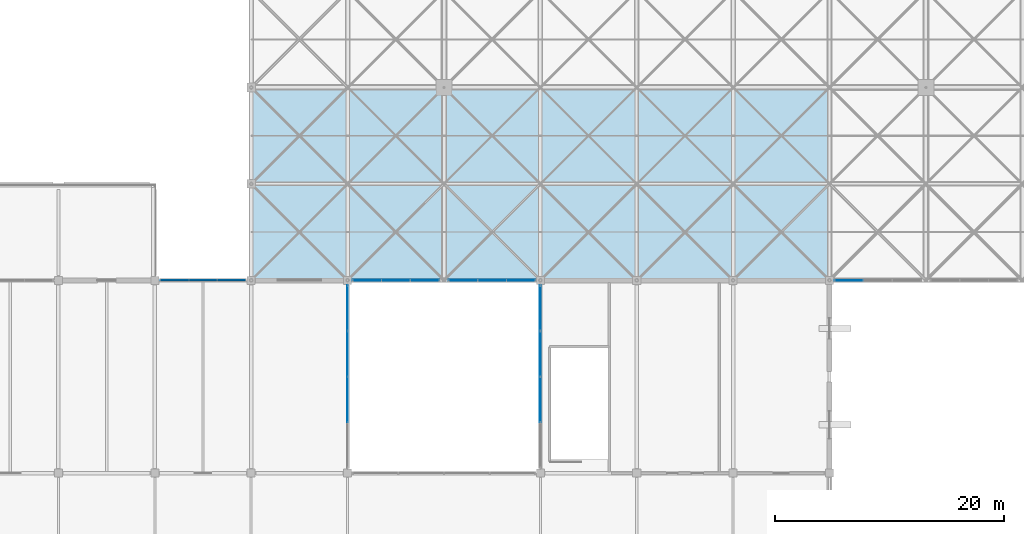
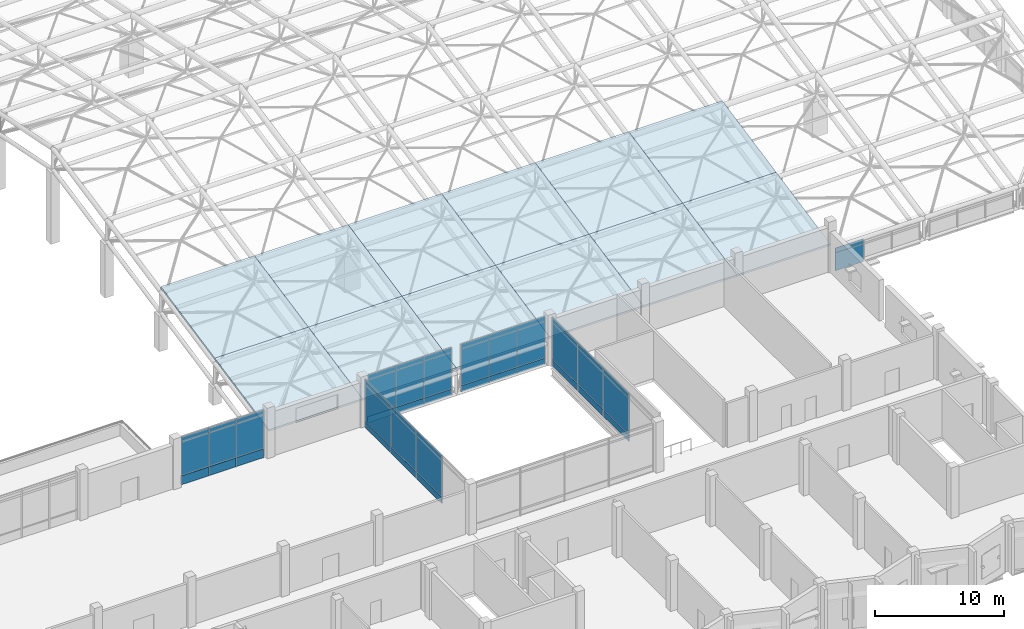
# One storey, part 78 of 110: 47 plates, 12 slabs, 6 elements without a shape of their own.
"""IFC4 building model written with IfcOpenShell, lengths in metres."""

from ifc_helpers import new_model, si_unit, direction, frame, frame_2d, origin, place, context, subcontext, project, spatial, polyline, rectangle, outline, extrude, material, layer, layer_set, type_object, element, aggregate, save


model = new_model("IFC4")

# Units and contexts
model_context = context("Model", 3, precision=1e-05, world=origin(), true_north=direction((0.0, 1.0)))
body_context = subcontext(model_context, "Body", "Model", "MODEL_VIEW")
ifc_project = project(units=[si_unit("LENGTHUNIT", "METRE"), si_unit("AREAUNIT", "SQUARE_METRE"), si_unit("VOLUMEUNIT", "CUBIC_METRE"), si_unit("PLANEANGLEUNIT", "RADIAN"), si_unit("MASSUNIT", "GRAM", prefix="KILO")], contexts=[model_context])

# Site, building, storey
site_placement = place(None, origin())
site = spatial("IfcSite", under=ifc_project, at=site_placement, CompositionType="ELEMENT")
building_placement = place(site_placement, origin())
building = spatial("IfcBuilding", under=site, at=building_placement, Name="Qawsi Khor Wholesale Market", CompositionType="ELEMENT")
storey_placement = place(building_placement, frame((0.0, 0.0, 11.39990234375)))
storey = spatial("IfcBuildingStorey", under=building, at=storey_placement, Name="L02", CompositionType="ELEMENT", Elevation=11.39990234375)

# Curtain wall, plates
ifc_material_1 = material(Name="Aluminium Anodised Bronze", Category="aluminium")
ifc_layer_1 = layer(ifc_material_1, 0.179931640625, Name="Aluminium Anodised Bronze")
ifc_layer_set_1 = layer_set([ifc_layer_1], Name="Aluminium Anodised Bronze")
curtain_wall_type_1 = type_object("IfcCurtainWallType", Name="Atrium Full-Height Curtain Wall CW-02", PredefinedType="NOTDEFINED", material=ifc_layer_set_1)
curtain_wall_1_placement = place(storey_placement, origin())
curtain_wall_1 = element("IfcCurtainWall", 1, at=curtain_wall_1_placement, inside=storey, type_object=curtain_wall_type_1, Name="Curtain wall CW-CW-02-L02-042", PredefinedType="NOTDEFINED")
ifc_material_2 = material(Name="Anodised Aluminium Spandrel", Category="aluminium")
ifc_layer_2 = layer(ifc_material_2, 0.06494140625, Name="Anodised Aluminium Spandrel")
ifc_layer_set_2 = layer_set([ifc_layer_2], Name="Anodised Aluminium Spandrel")
plate_type_1 = type_object("IfcPlateType", Name="Insulated Spandrel Panel CW-02 65mm", PredefinedType="CURTAIN_PANEL", material=ifc_layer_set_2)
plate_1_placement = place(storey_placement, frame((151.64501953125, 42.0, 0.005126953125), z_axis=(0.0, 0.0, 1.0), x_axis=(1.0, 0.0, 0.0)))
plate_1 = element("IfcPlate", 2, at=plate_1_placement, type_object=plate_type_1, Name="Curtain panel CW-CW-02-L02-042-P0_00", PredefinedType="CURTAIN_PANEL", context=body_context, shape_type="SweptSolid", body=[
    extrude(rectangle(XDim=2.51171875, YDim=0.06494140625, at=frame_2d((1.255859375, 0.0))), origin(), (0.0, 0.0, 1.0), 0.590087890625),
])
plate_2_placement = place(storey_placement, frame((154.15673828125, 42.0, 0.005126953125), z_axis=(0.0, 0.0, 1.0), x_axis=(1.0, 0.0, 0.0)))
plate_2 = element("IfcPlate", 3, at=plate_2_placement, type_object=plate_type_1, Name="Curtain panel CW-CW-02-L02-042-P0_01", PredefinedType="CURTAIN_PANEL", context=body_context, shape_type="SweptSolid", body=[
    extrude(rectangle(XDim=2.511474609375, YDim=0.06494140625, at=frame_2d((1.255859375, 0.0))), origin(), (0.0, 0.0, 1.0), 0.590087890625),
])
plate_3_placement = place(storey_placement, frame((156.668212890625, 42.0, 0.005126953125), z_axis=(0.0, 0.0, 1.0), x_axis=(1.0, 0.0, 0.0)))
plate_3 = element("IfcPlate", 4, at=plate_3_placement, type_object=plate_type_1, Name="Curtain panel CW-CW-02-L02-042-P0_02", PredefinedType="CURTAIN_PANEL", context=body_context, shape_type="SweptSolid", body=[
    extrude(rectangle(XDim=2.51171875, YDim=0.06494140625, at=frame_2d((1.255859375, 0.0))), origin(), (0.0, 0.0, 1.0), 0.590087890625),
])

curtain_wall_2_placement = place(storey_placement, origin())
curtain_wall_2 = element("IfcCurtainWall", 5, at=curtain_wall_2_placement, inside=storey, type_object=curtain_wall_type_1, Name="Curtain wall CW-CW-02-L02-043", PredefinedType="NOTDEFINED")
plate_4_placement = place(storey_placement, frame((160.02001953125, 42.0, 0.005126953125), z_axis=(0.0, 0.0, 1.0), x_axis=(1.0, 0.0, 0.0)))
plate_4 = element("IfcPlate", 6, at=plate_4_placement, type_object=plate_type_1, Name="Curtain panel CW-CW-02-L02-043-P0_00", PredefinedType="CURTAIN_PANEL", context=body_context, shape_type="SweptSolid", body=[
    extrude(rectangle(XDim=2.51171875, YDim=0.06494140625, at=frame_2d((1.255859375, 0.0))), origin(), (0.0, 0.0, 1.0), 0.590087890625),
])
plate_5_placement = place(storey_placement, frame((162.53173828125, 42.0, 0.005126953125), z_axis=(0.0, 0.0, 1.0), x_axis=(1.0, 0.0, 0.0)))
plate_5 = element("IfcPlate", 7, at=plate_5_placement, type_object=plate_type_1, Name="Curtain panel CW-CW-02-L02-043-P0_01", PredefinedType="CURTAIN_PANEL", context=body_context, shape_type="SweptSolid", body=[
    extrude(rectangle(XDim=2.511474609375, YDim=0.06494140625, at=frame_2d((1.255859375, 0.0))), origin(), (0.0, 0.0, 1.0), 0.590087890625),
])
plate_6_placement = place(storey_placement, frame((165.043212890625, 42.0, 0.005126953125), z_axis=(0.0, 0.0, 1.0), x_axis=(1.0, 0.0, 0.0)))
plate_6 = element("IfcPlate", 8, at=plate_6_placement, type_object=plate_type_1, Name="Curtain panel CW-CW-02-L02-043-P0_02", PredefinedType="CURTAIN_PANEL", context=body_context, shape_type="SweptSolid", body=[
    extrude(rectangle(XDim=2.51171875, YDim=0.06494140625, at=frame_2d((1.255859375, 0.0))), origin(), (0.0, 0.0, 1.0), 0.590087890625),
])

curtain_wall_3_placement = place(storey_placement, origin())
curtain_wall_3 = element("IfcCurtainWall", 9, at=curtain_wall_3_placement, inside=storey, type_object=curtain_wall_type_1, Name="Curtain wall CW-CW-02-L02-044", PredefinedType="NOTDEFINED")
plate_7_placement = place(storey_placement, frame((151.199951171875, 29.62255859375, 0.005126953125), z_axis=(0.0, 0.0, 1.0), x_axis=(0.0, 1.0, 0.0)))
plate_7 = element("IfcPlate", 10, at=plate_7_placement, type_object=plate_type_1, Name="Curtain panel CW-CW-02-L02-044-P0_01", PredefinedType="CURTAIN_PANEL", context=body_context, shape_type="SweptSolid", body=[
    extrude(rectangle(XDim=3.9775390625, YDim=0.06494140625, at=frame_2d((1.98876953125, 0.0))), origin(), (0.0, 0.0, 1.0), 0.590087890625),
])
plate_8_placement = place(storey_placement, frame((151.199951171875, 33.60009765625, 0.005126953125), z_axis=(0.0, 0.0, 1.0), x_axis=(0.0, 1.0, 0.0)))
plate_8 = element("IfcPlate", 11, at=plate_8_placement, type_object=plate_type_1, Name="Curtain panel CW-CW-02-L02-044-P0_02", PredefinedType="CURTAIN_PANEL", context=body_context, shape_type="SweptSolid", body=[
    extrude(rectangle(XDim=3.977294921875, YDim=0.06494140625, at=frame_2d((1.98876953125, 0.0))), origin(), (0.0, 0.0, 1.0), 0.590087890625),
])
plate_9_placement = place(storey_placement, frame((151.199951171875, 37.577392578125, 0.005126953125), z_axis=(0.0, 0.0, 1.0), x_axis=(0.0, 1.0, 0.0)))
plate_9 = element("IfcPlate", 12, at=plate_9_placement, type_object=plate_type_1, Name="Curtain panel CW-CW-02-L02-044-P0_03", PredefinedType="CURTAIN_PANEL", context=body_context, shape_type="SweptSolid", body=[
    extrude(rectangle(XDim=3.9775390625, YDim=0.06494140625, at=frame_2d((1.98876953125, 0.0))), origin(), (0.0, 0.0, 1.0), 0.590087890625),
])

curtain_wall_4_placement = place(storey_placement, origin())
curtain_wall_4 = element("IfcCurtainWall", 13, at=curtain_wall_4_placement, inside=storey, type_object=curtain_wall_type_1, Name="Curtain wall CW-CW-02-L02-045", PredefinedType="NOTDEFINED")
plate_10_placement = place(storey_placement, frame((168.0, 29.62255859375, 0.005126953125), z_axis=(0.0, 0.0, 1.0), x_axis=(0.0, 1.0, 0.0)))
plate_10 = element("IfcPlate", 14, at=plate_10_placement, type_object=plate_type_1, Name="Curtain panel CW-CW-02-L02-045-P0_01", PredefinedType="CURTAIN_PANEL", context=body_context, shape_type="SweptSolid", body=[
    extrude(rectangle(XDim=3.9775390625, YDim=0.06494140625, at=frame_2d((1.98876953125, 0.0))), origin(), (0.0, 0.0, 1.0), 0.590087890625),
])
plate_11_placement = place(storey_placement, frame((168.0, 33.60009765625, 0.005126953125), z_axis=(0.0, 0.0, 1.0), x_axis=(0.0, 1.0, 0.0)))
plate_11 = element("IfcPlate", 15, at=plate_11_placement, type_object=plate_type_1, Name="Curtain panel CW-CW-02-L02-045-P0_02", PredefinedType="CURTAIN_PANEL", context=body_context, shape_type="SweptSolid", body=[
    extrude(rectangle(XDim=3.977294921875, YDim=0.06494140625, at=frame_2d((1.98876953125, 0.0))), origin(), (0.0, 0.0, 1.0), 0.590087890625),
])
plate_12_placement = place(storey_placement, frame((168.0, 37.577392578125, 0.005126953125), z_axis=(0.0, 0.0, 1.0), x_axis=(0.0, 1.0, 0.0)))
plate_12 = element("IfcPlate", 16, at=plate_12_placement, type_object=plate_type_1, Name="Curtain panel CW-CW-02-L02-045-P0_03", PredefinedType="CURTAIN_PANEL", context=body_context, shape_type="SweptSolid", body=[
    extrude(rectangle(XDim=3.9775390625, YDim=0.06494140625, at=frame_2d((1.98876953125, 0.0))), origin(), (0.0, 0.0, 1.0), 0.590087890625),
])

ifc_layer_3 = layer(ifc_material_1, 0.169921875, Name="Aluminium Anodised Bronze")
ifc_layer_set_3 = layer_set([ifc_layer_3], Name="Aluminium Anodised Bronze")
curtain_wall_type_2 = type_object("IfcCurtainWallType", Name="Central Court Gallery Curtain Wall CW-05", PredefinedType="NOTDEFINED", material=ifc_layer_set_3)
curtain_wall_5_placement = place(storey_placement, origin())
curtain_wall_5 = element("IfcCurtainWall", 17, at=curtain_wall_5_placement, inside=storey, type_object=curtain_wall_type_2, Name="Curtain wall CW-CW-05-L02-069", PredefinedType="NOTDEFINED")
ifc_layer_4 = layer(ifc_material_2, 0.094970703125, Name="Anodised Aluminium Spandrel")
ifc_layer_set_4 = layer_set([ifc_layer_4], Name="Anodised Aluminium Spandrel")
plate_type_2 = type_object("IfcPlateType", Name="Insulated Spandrel Panel CW-05 95mm", PredefinedType="CURTAIN_PANEL", material=ifc_layer_set_4)
plate_13_placement = place(storey_placement, frame((134.89990234375, 42.0, 0.005126953125), z_axis=(0.0, 0.0, 1.0), x_axis=(1.0, 0.0, 0.0)))
plate_13 = element("IfcPlate", 18, at=plate_13_placement, type_object=plate_type_2, Name="Curtain panel CW-CW-05-L02-069-P0_00", PredefinedType="CURTAIN_PANEL", context=body_context, shape_type="SweptSolid", body=[
    extrude(rectangle(XDim=2.466796875, YDim=0.094970703125, at=frame_2d((1.2333984375, 0.0))), origin(), (0.0, 0.0, 1.0), 0.840087890625),
])
plate_14_placement = place(storey_placement, frame((137.36669921875, 42.0, 0.005126953125), z_axis=(0.0, 0.0, 1.0), x_axis=(1.0, 0.0, 0.0)))
plate_14 = element("IfcPlate", 19, at=plate_14_placement, type_object=plate_type_2, Name="Curtain panel CW-CW-05-L02-069-P0_01", PredefinedType="CURTAIN_PANEL", context=body_context, shape_type="SweptSolid", body=[
    extrude(rectangle(XDim=2.466552734375, YDim=0.094970703125, at=frame_2d((1.2333984375, 0.0))), origin(), (0.0, 0.0, 1.0), 0.840087890625),
])
plate_15_placement = place(storey_placement, frame((139.833251953125, 42.0, 0.005126953125), z_axis=(0.0, 0.0, 1.0), x_axis=(1.0, 0.0, 0.0)))
plate_15 = element("IfcPlate", 20, at=plate_15_placement, type_object=plate_type_2, Name="Curtain panel CW-CW-05-L02-069-P0_02", PredefinedType="CURTAIN_PANEL", context=body_context, shape_type="SweptSolid", body=[
    extrude(rectangle(XDim=2.466796875, YDim=0.094970703125, at=frame_2d((1.2333984375, 0.0))), origin(), (0.0, 0.0, 1.0), 0.840087890625),
])

# Slabs
ifc_material_3 = material(Name="Concrete C40/50", Category="concrete")
ifc_layer_5 = layer(ifc_material_3, 0.2099609375, Name="Concrete C40/50")
ifc_layer_set_5 = layer_set([ifc_layer_5], Name="Concrete C40/50")
slab_type = type_object("IfcSlabType", Name="Sloped Insulated Roof Deck 210", PredefinedType="ROOF", material=ifc_layer_set_5)
slab_1_placement = place(storey_placement, frame((142.800048828125, 42.0, 2.4501953125), z_axis=(0.0, -0.1983562496, 0.980129990483), x_axis=(1.0, 0.0, 0.0)))
element("IfcSlab", 21, at=slab_1_placement, inside=storey, type_object=slab_type, Name="Space frame roof deck EH (17,5)", PredefinedType="ROOF", context=body_context, shape_type="SweptSolid", body=[
    extrude(outline(polyline([(0.0, 0.0), (8.39990234375, 0.0), (8.39990234375, 8.570192143195854), (0.0, 8.570192143195854), (0.0, 0.0)])), origin(), (0.0, 0.0, -1.0), 0.2099609375),
])
slab_2_placement = place(storey_placement, frame((142.800048828125, 50.39990234375, 4.150146484375), z_axis=(0.0, -0.198350711418, 0.98013111127), x_axis=(1.0, 0.0, 0.0)))
element("IfcSlab", 22, at=slab_2_placement, inside=storey, type_object=slab_type, Name="Space frame roof deck EH (17,6)", PredefinedType="ROOF", context=body_context, shape_type="SweptSolid", body=[
    extrude(outline(polyline([(0.0, 0.0), (8.39990234375, 0.0), (8.39990234375, 8.570431432881128), (0.0, 8.570431432881128), (0.0, 0.0)])), origin(), (0.0, 0.0, -1.0), 0.2099609375),
])
slab_3_placement = place(storey_placement, frame((151.199951171875, 42.0, 2.4501953125), z_axis=(0.0, -0.1983562496, 0.980129990483), x_axis=(1.0, 0.0, 0.0)))
element("IfcSlab", 23, at=slab_3_placement, inside=storey, type_object=slab_type, Name="Space frame roof deck EH (18,5)", PredefinedType="ROOF", context=body_context, shape_type="SweptSolid", body=[
    extrude(outline(polyline([(0.0, 0.0), (8.400146484375, 0.0), (8.400146484375, 8.570192143195856), (0.0, 8.570192143195856), (0.0, 0.0)])), origin(), (0.0, 0.0, -1.0), 0.2099609375),
])
slab_4_placement = place(storey_placement, frame((151.199951171875, 50.39990234375, 4.150146484375), z_axis=(0.0, -0.198350711418, 0.98013111127), x_axis=(1.0, 0.0, 0.0)))
element("IfcSlab", 24, at=slab_4_placement, inside=storey, type_object=slab_type, Name="Space frame roof deck EH (18,6)", PredefinedType="ROOF", context=body_context, shape_type="SweptSolid", body=[
    extrude(outline(polyline([(0.0, 0.0), (8.400146484375, 0.0), (8.400146484375, 8.570431432881128), (0.0, 8.570431432881128), (0.0, 0.0)])), origin(), (0.0, 0.0, -1.0), 0.2099609375),
])
slab_5_placement = place(storey_placement, frame((159.60009765625, 42.0, 2.4501953125), z_axis=(0.0, -0.1983562496, 0.980129990483), x_axis=(1.0, 0.0, 0.0)))
element("IfcSlab", 25, at=slab_5_placement, inside=storey, type_object=slab_type, Name="Space frame roof deck EH (19,5)", PredefinedType="ROOF", context=body_context, shape_type="SweptSolid", body=[
    extrude(outline(polyline([(0.0, 0.0), (8.39990234375, 0.0), (8.39990234375, 8.570192143195854), (0.0, 8.570192143195854), (0.0, 0.0)])), origin(), (0.0, 0.0, -1.0), 0.2099609375),
])
slab_6_placement = place(storey_placement, frame((159.60009765625, 50.39990234375, 4.150146484375), z_axis=(0.0, -0.198350711418, 0.98013111127), x_axis=(1.0, 0.0, 0.0)))
element("IfcSlab", 26, at=slab_6_placement, inside=storey, type_object=slab_type, Name="Space frame roof deck EH (19,6)", PredefinedType="ROOF", context=body_context, shape_type="SweptSolid", body=[
    extrude(outline(polyline([(0.0, 0.0), (8.39990234375, 0.0), (8.39990234375, 8.570431432881128), (0.0, 8.570431432881128), (0.0, 0.0)])), origin(), (0.0, 0.0, -1.0), 0.2099609375),
])
slab_7_placement = place(storey_placement, frame((168.0, 42.0, 2.4501953125), z_axis=(0.0, -0.1983562496, 0.980129990483), x_axis=(1.0, 0.0, 0.0)))
element("IfcSlab", 27, at=slab_7_placement, inside=storey, type_object=slab_type, Name="Space frame roof deck EH (20,5)", PredefinedType="ROOF", context=body_context, shape_type="SweptSolid", body=[
    extrude(outline(polyline([(0.0, 0.0), (8.39990234375, 0.0), (8.39990234375, 8.570192143195854), (0.0, 8.570192143195854), (0.0, 0.0)])), origin(), (0.0, 0.0, -1.0), 0.2099609375),
])
slab_8_placement = place(storey_placement, frame((168.0, 50.39990234375, 4.150146484375), z_axis=(0.0, -0.198350711418, 0.98013111127), x_axis=(1.0, 0.0, 0.0)))
element("IfcSlab", 28, at=slab_8_placement, inside=storey, type_object=slab_type, Name="Space frame roof deck EH (20,6)", PredefinedType="ROOF", context=body_context, shape_type="SweptSolid", body=[
    extrude(outline(polyline([(0.0, 0.0), (8.39990234375, 0.0), (8.39990234375, 8.570431432881128), (0.0, 8.570431432881128), (0.0, 0.0)])), origin(), (0.0, 0.0, -1.0), 0.2099609375),
])
slab_9_placement = place(storey_placement, frame((176.39990234375, 42.0, 2.4501953125), z_axis=(0.0, -0.1983562496, 0.980129990483), x_axis=(1.0, 0.0, 0.0)))
element("IfcSlab", 29, at=slab_9_placement, inside=storey, type_object=slab_type, Name="Space frame roof deck EH (21,5)", PredefinedType="ROOF", context=body_context, shape_type="SweptSolid", body=[
    extrude(outline(polyline([(0.0, 0.0), (8.400146484375, 0.0), (8.400146484375, 8.570192143195856), (0.0, 8.570192143195856), (0.0, 0.0)])), origin(), (0.0, 0.0, -1.0), 0.2099609375),
])
slab_10_placement = place(storey_placement, frame((176.39990234375, 50.39990234375, 4.150146484375), z_axis=(0.0, -0.198350711418, 0.98013111127), x_axis=(1.0, 0.0, 0.0)))
element("IfcSlab", 30, at=slab_10_placement, inside=storey, type_object=slab_type, Name="Space frame roof deck EH (21,6)", PredefinedType="ROOF", context=body_context, shape_type="SweptSolid", body=[
    extrude(outline(polyline([(0.0, 0.0), (8.400146484375, 0.0), (8.400146484375, 8.570431432881128), (0.0, 8.570431432881128), (0.0, 0.0)])), origin(), (0.0, 0.0, -1.0), 0.2099609375),
])
slab_11_placement = place(storey_placement, frame((184.800048828125, 42.0, 2.4501953125), z_axis=(0.0, -0.1983562496, 0.980129990483), x_axis=(1.0, 0.0, 0.0)))
element("IfcSlab", 31, at=slab_11_placement, inside=storey, type_object=slab_type, Name="Space frame roof deck EH (22,5)", PredefinedType="ROOF", context=body_context, shape_type="SweptSolid", body=[
    extrude(outline(polyline([(0.0, 0.0), (8.39990234375, 0.0), (8.39990234375, 8.570192143195854), (0.0, 8.570192143195854), (0.0, 0.0)])), origin(), (0.0, 0.0, -1.0), 0.2099609375),
])
slab_12_placement = place(storey_placement, frame((184.800048828125, 50.39990234375, 4.150146484375), z_axis=(0.0, -0.198350711418, 0.98013111127), x_axis=(1.0, 0.0, 0.0)))
element("IfcSlab", 32, at=slab_12_placement, inside=storey, type_object=slab_type, Name="Space frame roof deck EH (22,6)", PredefinedType="ROOF", context=body_context, shape_type="SweptSolid", body=[
    extrude(outline(polyline([(0.0, 0.0), (8.39990234375, 0.0), (8.39990234375, 8.570431432881128), (0.0, 8.570431432881128), (0.0, 0.0)])), origin(), (0.0, 0.0, -1.0), 0.2099609375),
])

# Plate
ifc_material_4 = material(Name="Tempered Low-E Solar Glass", Category="glass")
ifc_layer_6 = layer(ifc_material_4, 0.031982421875, Name="Tempered Low-E Solar Glass")
ifc_layer_set_6 = layer_set([ifc_layer_6], Name="Tempered Low-E Solar Glass")
plate_type_3 = type_object("IfcPlateType", Name="Solar Double-Glazed Unit CW-02 32mm", PredefinedType="CURTAIN_PANEL", material=ifc_layer_set_6)
plate_16_placement = place(storey_placement, frame((151.64501953125, 42.0, 0.60498046875), z_axis=(0.0, 0.0, 1.0), x_axis=(1.0, 0.0, 0.0)))
plate_16 = element("IfcPlate", 33, at=plate_16_placement, type_object=plate_type_3, Name="Curtain panel CW-CW-02-L02-042-P1_00", PredefinedType="CURTAIN_PANEL", context=body_context, shape_type="SweptSolid", body=[
    extrude(rectangle(XDim=2.51171875, YDim=0.031982421875, at=frame_2d((1.255859375, 0.0))), origin(), (0.0, 0.0, 1.0), 3.490234375),
])

plate_17_placement = place(storey_placement, frame((154.15673828125, 42.0, 0.60498046875), z_axis=(0.0, 0.0, 1.0), x_axis=(1.0, 0.0, 0.0)))
plate_17 = element("IfcPlate", 34, at=plate_17_placement, type_object=plate_type_3, Name="Curtain panel CW-CW-02-L02-042-P1_01", PredefinedType="CURTAIN_PANEL", context=body_context, shape_type="SweptSolid", body=[
    extrude(rectangle(XDim=2.511474609375, YDim=0.031982421875, at=frame_2d((1.255859375, 0.0))), origin(), (0.0, 0.0, 1.0), 3.490234375),
])

plate_18_placement = place(storey_placement, frame((156.668212890625, 42.0, 0.60498046875), z_axis=(0.0, 0.0, 1.0), x_axis=(1.0, 0.0, 0.0)))
plate_18 = element("IfcPlate", 35, at=plate_18_placement, type_object=plate_type_3, Name="Curtain panel CW-CW-02-L02-042-P1_02", PredefinedType="CURTAIN_PANEL", context=body_context, shape_type="SweptSolid", body=[
    extrude(rectangle(XDim=2.51171875, YDim=0.031982421875, at=frame_2d((1.255859375, 0.0))), origin(), (0.0, 0.0, 1.0), 3.490234375),
])

plate_19_placement = place(storey_placement, frame((151.64501953125, 42.0, 4.10498046875), z_axis=(0.0, 0.0, 1.0), x_axis=(1.0, 0.0, 0.0)))
plate_19 = element("IfcPlate", 36, at=plate_19_placement, type_object=plate_type_3, Name="Curtain panel CW-CW-02-L02-042-P2_00", PredefinedType="CURTAIN_PANEL", context=body_context, shape_type="SweptSolid", body=[
    extrude(rectangle(XDim=2.51171875, YDim=0.031982421875, at=frame_2d((1.255859375, 0.0))), origin(), (0.0, 0.0, 1.0), 0.440185546875),
])

plate_20_placement = place(storey_placement, frame((154.15673828125, 42.0, 4.10498046875), z_axis=(0.0, 0.0, 1.0), x_axis=(1.0, 0.0, 0.0)))
plate_20 = element("IfcPlate", 37, at=plate_20_placement, type_object=plate_type_3, Name="Curtain panel CW-CW-02-L02-042-P2_01", PredefinedType="CURTAIN_PANEL", context=body_context, shape_type="SweptSolid", body=[
    extrude(rectangle(XDim=2.511474609375, YDim=0.031982421875, at=frame_2d((1.255859375, 0.0))), origin(), (0.0, 0.0, 1.0), 0.440185546875),
])

plate_21_placement = place(storey_placement, frame((156.668212890625, 42.0, 4.10498046875), z_axis=(0.0, 0.0, 1.0), x_axis=(1.0, 0.0, 0.0)))
plate_21 = element("IfcPlate", 38, at=plate_21_placement, type_object=plate_type_3, Name="Curtain panel CW-CW-02-L02-042-P2_02", PredefinedType="CURTAIN_PANEL", context=body_context, shape_type="SweptSolid", body=[
    extrude(rectangle(XDim=2.51171875, YDim=0.031982421875, at=frame_2d((1.255859375, 0.0))), origin(), (0.0, 0.0, 1.0), 0.440185546875),
])

aggregate(curtain_wall_1, [plate_1, plate_2, plate_3, plate_16, plate_17, plate_18, plate_19, plate_20, plate_21])

plate_22_placement = place(storey_placement, frame((160.02001953125, 42.0, 0.60498046875), z_axis=(0.0, 0.0, 1.0), x_axis=(1.0, 0.0, 0.0)))
plate_22 = element("IfcPlate", 39, at=plate_22_placement, type_object=plate_type_3, Name="Curtain panel CW-CW-02-L02-043-P1_00", PredefinedType="CURTAIN_PANEL", context=body_context, shape_type="SweptSolid", body=[
    extrude(rectangle(XDim=2.51171875, YDim=0.031982421875, at=frame_2d((1.255859375, 0.0))), origin(), (0.0, 0.0, 1.0), 3.490234375),
])

plate_23_placement = place(storey_placement, frame((162.53173828125, 42.0, 0.60498046875), z_axis=(0.0, 0.0, 1.0), x_axis=(1.0, 0.0, 0.0)))
plate_23 = element("IfcPlate", 40, at=plate_23_placement, type_object=plate_type_3, Name="Curtain panel CW-CW-02-L02-043-P1_01", PredefinedType="CURTAIN_PANEL", context=body_context, shape_type="SweptSolid", body=[
    extrude(rectangle(XDim=2.511474609375, YDim=0.031982421875, at=frame_2d((1.255859375, 0.0))), origin(), (0.0, 0.0, 1.0), 3.490234375),
])

plate_24_placement = place(storey_placement, frame((165.043212890625, 42.0, 0.60498046875), z_axis=(0.0, 0.0, 1.0), x_axis=(1.0, 0.0, 0.0)))
plate_24 = element("IfcPlate", 41, at=plate_24_placement, type_object=plate_type_3, Name="Curtain panel CW-CW-02-L02-043-P1_02", PredefinedType="CURTAIN_PANEL", context=body_context, shape_type="SweptSolid", body=[
    extrude(rectangle(XDim=2.51171875, YDim=0.031982421875, at=frame_2d((1.255859375, 0.0))), origin(), (0.0, 0.0, 1.0), 3.490234375),
])

plate_25_placement = place(storey_placement, frame((160.02001953125, 42.0, 4.10498046875), z_axis=(0.0, 0.0, 1.0), x_axis=(1.0, 0.0, 0.0)))
plate_25 = element("IfcPlate", 42, at=plate_25_placement, type_object=plate_type_3, Name="Curtain panel CW-CW-02-L02-043-P2_00", PredefinedType="CURTAIN_PANEL", context=body_context, shape_type="SweptSolid", body=[
    extrude(rectangle(XDim=2.51171875, YDim=0.031982421875, at=frame_2d((1.255859375, 0.0))), origin(), (0.0, 0.0, 1.0), 0.440185546875),
])

plate_26_placement = place(storey_placement, frame((162.53173828125, 42.0, 4.10498046875), z_axis=(0.0, 0.0, 1.0), x_axis=(1.0, 0.0, 0.0)))
plate_26 = element("IfcPlate", 43, at=plate_26_placement, type_object=plate_type_3, Name="Curtain panel CW-CW-02-L02-043-P2_01", PredefinedType="CURTAIN_PANEL", context=body_context, shape_type="SweptSolid", body=[
    extrude(rectangle(XDim=2.511474609375, YDim=0.031982421875, at=frame_2d((1.255859375, 0.0))), origin(), (0.0, 0.0, 1.0), 0.440185546875),
])

plate_27_placement = place(storey_placement, frame((165.043212890625, 42.0, 4.10498046875), z_axis=(0.0, 0.0, 1.0), x_axis=(1.0, 0.0, 0.0)))
plate_27 = element("IfcPlate", 44, at=plate_27_placement, type_object=plate_type_3, Name="Curtain panel CW-CW-02-L02-043-P2_02", PredefinedType="CURTAIN_PANEL", context=body_context, shape_type="SweptSolid", body=[
    extrude(rectangle(XDim=2.51171875, YDim=0.031982421875, at=frame_2d((1.255859375, 0.0))), origin(), (0.0, 0.0, 1.0), 0.440185546875),
])

aggregate(curtain_wall_2, [plate_4, plate_5, plate_6, plate_22, plate_23, plate_24, plate_25, plate_26, plate_27])

plate_28_placement = place(storey_placement, frame((151.199951171875, 29.62255859375, 0.60498046875), z_axis=(0.0, 0.0, 1.0), x_axis=(0.0, 1.0, 0.0)))
plate_28 = element("IfcPlate", 45, at=plate_28_placement, type_object=plate_type_3, Name="Curtain panel CW-CW-02-L02-044-P1_01", PredefinedType="CURTAIN_PANEL", context=body_context, shape_type="SweptSolid", body=[
    extrude(rectangle(XDim=3.9775390625, YDim=0.031982421875, at=frame_2d((1.98876953125, 0.0))), origin(), (0.0, 0.0, 1.0), 3.490234375),
])

plate_29_placement = place(storey_placement, frame((151.199951171875, 33.60009765625, 0.60498046875), z_axis=(0.0, 0.0, 1.0), x_axis=(0.0, 1.0, 0.0)))
plate_29 = element("IfcPlate", 46, at=plate_29_placement, type_object=plate_type_3, Name="Curtain panel CW-CW-02-L02-044-P1_02", PredefinedType="CURTAIN_PANEL", context=body_context, shape_type="SweptSolid", body=[
    extrude(rectangle(XDim=3.977294921875, YDim=0.031982421875, at=frame_2d((1.98876953125, 0.0))), origin(), (0.0, 0.0, 1.0), 3.490234375),
])

plate_30_placement = place(storey_placement, frame((151.199951171875, 37.577392578125, 0.60498046875), z_axis=(0.0, 0.0, 1.0), x_axis=(0.0, 1.0, 0.0)))
plate_30 = element("IfcPlate", 47, at=plate_30_placement, type_object=plate_type_3, Name="Curtain panel CW-CW-02-L02-044-P1_03", PredefinedType="CURTAIN_PANEL", context=body_context, shape_type="SweptSolid", body=[
    extrude(rectangle(XDim=3.9775390625, YDim=0.031982421875, at=frame_2d((1.98876953125, 0.0))), origin(), (0.0, 0.0, 1.0), 3.490234375),
])

plate_31_placement = place(storey_placement, frame((151.199951171875, 29.62255859375, 4.10498046875), z_axis=(0.0, 0.0, 1.0), x_axis=(0.0, 1.0, 0.0)))
plate_31 = element("IfcPlate", 48, at=plate_31_placement, type_object=plate_type_3, Name="Curtain panel CW-CW-02-L02-044-P2_01", PredefinedType="CURTAIN_PANEL", context=body_context, shape_type="SweptSolid", body=[
    extrude(rectangle(XDim=3.9775390625, YDim=0.031982421875, at=frame_2d((1.98876953125, 0.0))), origin(), (0.0, 0.0, 1.0), 0.440185546875),
])

plate_32_placement = place(storey_placement, frame((151.199951171875, 33.60009765625, 4.10498046875), z_axis=(0.0, 0.0, 1.0), x_axis=(0.0, 1.0, 0.0)))
plate_32 = element("IfcPlate", 49, at=plate_32_placement, type_object=plate_type_3, Name="Curtain panel CW-CW-02-L02-044-P2_02", PredefinedType="CURTAIN_PANEL", context=body_context, shape_type="SweptSolid", body=[
    extrude(rectangle(XDim=3.977294921875, YDim=0.031982421875, at=frame_2d((1.98876953125, 0.0))), origin(), (0.0, 0.0, 1.0), 0.440185546875),
])

plate_33_placement = place(storey_placement, frame((151.199951171875, 37.577392578125, 4.10498046875), z_axis=(0.0, 0.0, 1.0), x_axis=(0.0, 1.0, 0.0)))
plate_33 = element("IfcPlate", 50, at=plate_33_placement, type_object=plate_type_3, Name="Curtain panel CW-CW-02-L02-044-P2_03", PredefinedType="CURTAIN_PANEL", context=body_context, shape_type="SweptSolid", body=[
    extrude(rectangle(XDim=3.9775390625, YDim=0.031982421875, at=frame_2d((1.98876953125, 0.0))), origin(), (0.0, 0.0, 1.0), 0.440185546875),
])

aggregate(curtain_wall_3, [plate_7, plate_8, plate_9, plate_28, plate_29, plate_30, plate_31, plate_32, plate_33])

plate_34_placement = place(storey_placement, frame((168.0, 29.62255859375, 0.60498046875), z_axis=(0.0, 0.0, 1.0), x_axis=(0.0, 1.0, 0.0)))
plate_34 = element("IfcPlate", 51, at=plate_34_placement, type_object=plate_type_3, Name="Curtain panel CW-CW-02-L02-045-P1_01", PredefinedType="CURTAIN_PANEL", context=body_context, shape_type="SweptSolid", body=[
    extrude(rectangle(XDim=3.9775390625, YDim=0.031982421875, at=frame_2d((1.98876953125, 0.0))), origin(), (0.0, 0.0, 1.0), 3.490234375),
])

plate_35_placement = place(storey_placement, frame((168.0, 33.60009765625, 0.60498046875), z_axis=(0.0, 0.0, 1.0), x_axis=(0.0, 1.0, 0.0)))
plate_35 = element("IfcPlate", 52, at=plate_35_placement, type_object=plate_type_3, Name="Curtain panel CW-CW-02-L02-045-P1_02", PredefinedType="CURTAIN_PANEL", context=body_context, shape_type="SweptSolid", body=[
    extrude(rectangle(XDim=3.977294921875, YDim=0.031982421875, at=frame_2d((1.98876953125, 0.0))), origin(), (0.0, 0.0, 1.0), 3.490234375),
])

plate_36_placement = place(storey_placement, frame((168.0, 37.577392578125, 0.60498046875), z_axis=(0.0, 0.0, 1.0), x_axis=(0.0, 1.0, 0.0)))
plate_36 = element("IfcPlate", 53, at=plate_36_placement, type_object=plate_type_3, Name="Curtain panel CW-CW-02-L02-045-P1_03", PredefinedType="CURTAIN_PANEL", context=body_context, shape_type="SweptSolid", body=[
    extrude(rectangle(XDim=3.9775390625, YDim=0.031982421875, at=frame_2d((1.98876953125, 0.0))), origin(), (0.0, 0.0, 1.0), 3.490234375),
])

plate_37_placement = place(storey_placement, frame((168.0, 29.62255859375, 4.10498046875), z_axis=(0.0, 0.0, 1.0), x_axis=(0.0, 1.0, 0.0)))
plate_37 = element("IfcPlate", 54, at=plate_37_placement, type_object=plate_type_3, Name="Curtain panel CW-CW-02-L02-045-P2_01", PredefinedType="CURTAIN_PANEL", context=body_context, shape_type="SweptSolid", body=[
    extrude(rectangle(XDim=3.9775390625, YDim=0.031982421875, at=frame_2d((1.98876953125, 0.0))), origin(), (0.0, 0.0, 1.0), 0.440185546875),
])

plate_38_placement = place(storey_placement, frame((168.0, 33.60009765625, 4.10498046875), z_axis=(0.0, 0.0, 1.0), x_axis=(0.0, 1.0, 0.0)))
plate_38 = element("IfcPlate", 55, at=plate_38_placement, type_object=plate_type_3, Name="Curtain panel CW-CW-02-L02-045-P2_02", PredefinedType="CURTAIN_PANEL", context=body_context, shape_type="SweptSolid", body=[
    extrude(rectangle(XDim=3.977294921875, YDim=0.031982421875, at=frame_2d((1.98876953125, 0.0))), origin(), (0.0, 0.0, 1.0), 0.440185546875),
])

plate_39_placement = place(storey_placement, frame((168.0, 37.577392578125, 4.10498046875), z_axis=(0.0, 0.0, 1.0), x_axis=(0.0, 1.0, 0.0)))
plate_39 = element("IfcPlate", 56, at=plate_39_placement, type_object=plate_type_3, Name="Curtain panel CW-CW-02-L02-045-P2_03", PredefinedType="CURTAIN_PANEL", context=body_context, shape_type="SweptSolid", body=[
    extrude(rectangle(XDim=3.9775390625, YDim=0.031982421875, at=frame_2d((1.98876953125, 0.0))), origin(), (0.0, 0.0, 1.0), 0.440185546875),
])

aggregate(curtain_wall_4, [plate_10, plate_11, plate_12, plate_34, plate_35, plate_36, plate_37, plate_38, plate_39])

# Curtain wall, plates
ifc_layer_7 = layer(ifc_material_1, 0.199951171875, Name="Aluminium Anodised Bronze")
ifc_layer_set_7 = layer_set([ifc_layer_7], Name="Aluminium Anodised Bronze")
curtain_wall_type_3 = type_object("IfcCurtainWallType", Name="Trading Hall North-Light Curtain Wall CW-03", PredefinedType="NOTDEFINED", material=ifc_layer_set_7)
curtain_wall_6_placement = place(storey_placement, origin())
curtain_wall_6 = element("IfcCurtainWall", 57, at=curtain_wall_6_placement, inside=storey, type_object=curtain_wall_type_3, Name="Curtain wall CW-CW-03-L02-154", PredefinedType="NOTDEFINED")
ifc_layer_8 = layer(ifc_material_4, 0.0419921875, Name="Tempered Low-E Solar Glass")
ifc_layer_set_8 = layer_set([ifc_layer_8], Name="Tempered Low-E Solar Glass")
plate_type_4 = type_object("IfcPlateType", Name="Solar Double-Glazed Unit CW-03 42mm", PredefinedType="CURTAIN_PANEL", material=ifc_layer_set_8)
plate_40_placement = place(storey_placement, frame((193.6474609375, 42.0, -0.264892578125), z_axis=(0.0, 0.0, 1.0), x_axis=(1.0, 0.0, 0.0)))
plate_40 = element("IfcPlate", 58, at=plate_40_placement, type_object=plate_type_4, Name="Curtain panel CW-CW-03-L02-154-P0_00", PredefinedType="CURTAIN_PANEL", context=body_context, shape_type="SweptSolid", body=[
    extrude(rectangle(XDim=2.510009765625, YDim=0.0419921875, at=frame_2d((1.2548828125, 0.0))), origin(), (0.0, 0.0, 1.0), 1.7099609375),
])
plate_41_placement = place(storey_placement, frame((193.6474609375, 42.0, 1.455078125), z_axis=(0.0, 0.0, 1.0), x_axis=(1.0, 0.0, 0.0)))
plate_41 = element("IfcPlate", 59, at=plate_41_placement, type_object=plate_type_4, Name="Curtain panel CW-CW-03-L02-154-P1_00", PredefinedType="CURTAIN_PANEL", context=body_context, shape_type="SweptSolid", body=[
    extrude(rectangle(XDim=2.510009765625, YDim=0.0419921875, at=frame_2d((1.2548828125, 0.0))), origin(), (0.0, 0.0, 1.0), 0.43994140625),
])
aggregate(curtain_wall_6, [plate_40, plate_41])

# Plate
ifc_layer_9 = layer(ifc_material_4, 0.035888671875, Name="Tempered Low-E Solar Glass")
ifc_layer_set_9 = layer_set([ifc_layer_9], Name="Tempered Low-E Solar Glass")
plate_type_5 = type_object("IfcPlateType", Name="Solar Double-Glazed Unit CW-05 36mm", PredefinedType="CURTAIN_PANEL", material=ifc_layer_set_9)
plate_42_placement = place(storey_placement, frame((134.89990234375, 42.0, 0.85498046875), z_axis=(0.0, 0.0, 1.0), x_axis=(1.0, 0.0, 0.0)))
plate_42 = element("IfcPlate", 60, at=plate_42_placement, type_object=plate_type_5, Name="Curtain panel CW-CW-05-L02-069-P1_00", PredefinedType="CURTAIN_PANEL", context=body_context, shape_type="SweptSolid", body=[
    extrude(rectangle(XDim=2.466796875, YDim=0.035888671875, at=frame_2d((1.2333984375, 0.0))), origin(), (0.0, 0.0, 1.0), 3.210205078125),
])

plate_43_placement = place(storey_placement, frame((137.36669921875, 42.0, 0.85498046875), z_axis=(0.0, 0.0, 1.0), x_axis=(1.0, 0.0, 0.0)))
plate_43 = element("IfcPlate", 61, at=plate_43_placement, type_object=plate_type_5, Name="Curtain panel CW-CW-05-L02-069-P1_01", PredefinedType="CURTAIN_PANEL", context=body_context, shape_type="SweptSolid", body=[
    extrude(rectangle(XDim=2.466552734375, YDim=0.035888671875, at=frame_2d((1.2333984375, 0.0))), origin(), (0.0, 0.0, 1.0), 3.210205078125),
])

plate_44_placement = place(storey_placement, frame((139.833251953125, 42.0, 0.85498046875), z_axis=(0.0, 0.0, 1.0), x_axis=(1.0, 0.0, 0.0)))
plate_44 = element("IfcPlate", 62, at=plate_44_placement, type_object=plate_type_5, Name="Curtain panel CW-CW-05-L02-069-P1_02", PredefinedType="CURTAIN_PANEL", context=body_context, shape_type="SweptSolid", body=[
    extrude(rectangle(XDim=2.466796875, YDim=0.035888671875, at=frame_2d((1.2333984375, 0.0))), origin(), (0.0, 0.0, 1.0), 3.210205078125),
])

plate_45_placement = place(storey_placement, frame((134.89990234375, 42.0, 4.0751953125), z_axis=(0.0, 0.0, 1.0), x_axis=(1.0, 0.0, 0.0)))
plate_45 = element("IfcPlate", 63, at=plate_45_placement, type_object=plate_type_5, Name="Curtain panel CW-CW-05-L02-069-P2_00", PredefinedType="CURTAIN_PANEL", context=body_context, shape_type="SweptSolid", body=[
    extrude(rectangle(XDim=2.466796875, YDim=0.035888671875, at=frame_2d((1.2333984375, 0.0))), origin(), (0.0, 0.0, 1.0), 0.43994140625),
])

plate_46_placement = place(storey_placement, frame((137.36669921875, 42.0, 4.0751953125), z_axis=(0.0, 0.0, 1.0), x_axis=(1.0, 0.0, 0.0)))
plate_46 = element("IfcPlate", 64, at=plate_46_placement, type_object=plate_type_5, Name="Curtain panel CW-CW-05-L02-069-P2_01", PredefinedType="CURTAIN_PANEL", context=body_context, shape_type="SweptSolid", body=[
    extrude(rectangle(XDim=2.466552734375, YDim=0.035888671875, at=frame_2d((1.2333984375, 0.0))), origin(), (0.0, 0.0, 1.0), 0.43994140625),
])

plate_47_placement = place(storey_placement, frame((139.833251953125, 42.0, 4.0751953125), z_axis=(0.0, 0.0, 1.0), x_axis=(1.0, 0.0, 0.0)))
plate_47 = element("IfcPlate", 65, at=plate_47_placement, type_object=plate_type_5, Name="Curtain panel CW-CW-05-L02-069-P2_02", PredefinedType="CURTAIN_PANEL", context=body_context, shape_type="SweptSolid", body=[
    extrude(rectangle(XDim=2.466796875, YDim=0.035888671875, at=frame_2d((1.2333984375, 0.0))), origin(), (0.0, 0.0, 1.0), 0.43994140625),
])

aggregate(curtain_wall_5, [plate_13, plate_14, plate_15, plate_42, plate_43, plate_44, plate_45, plate_46, plate_47])

save(model, "model.ifc")
